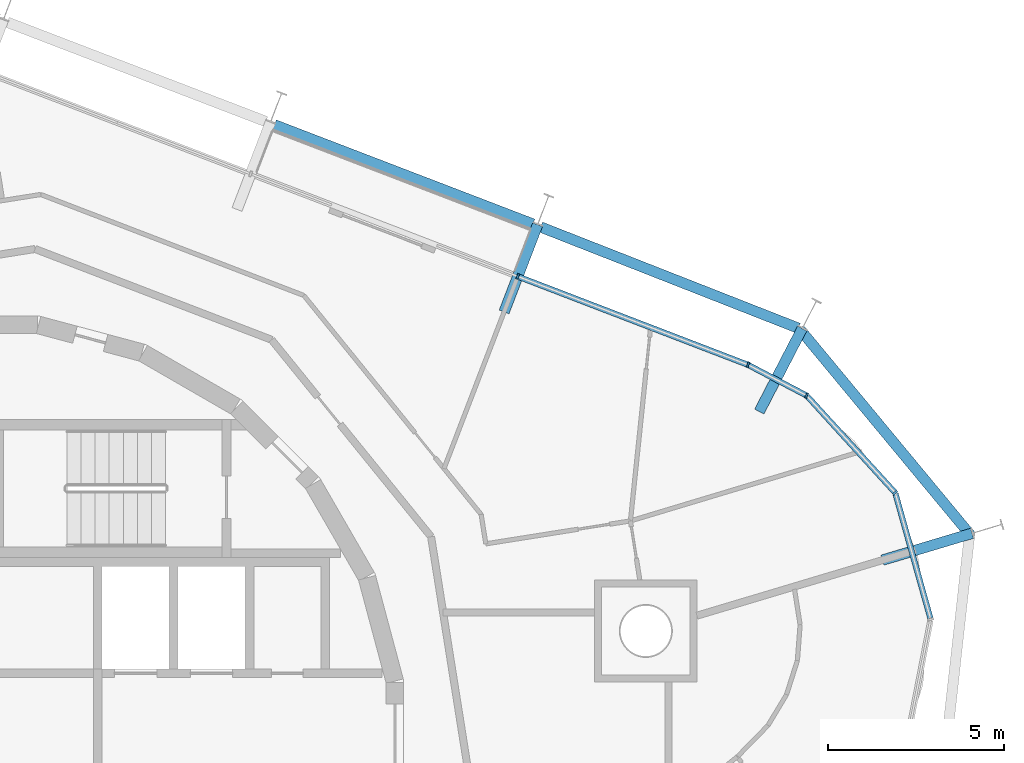
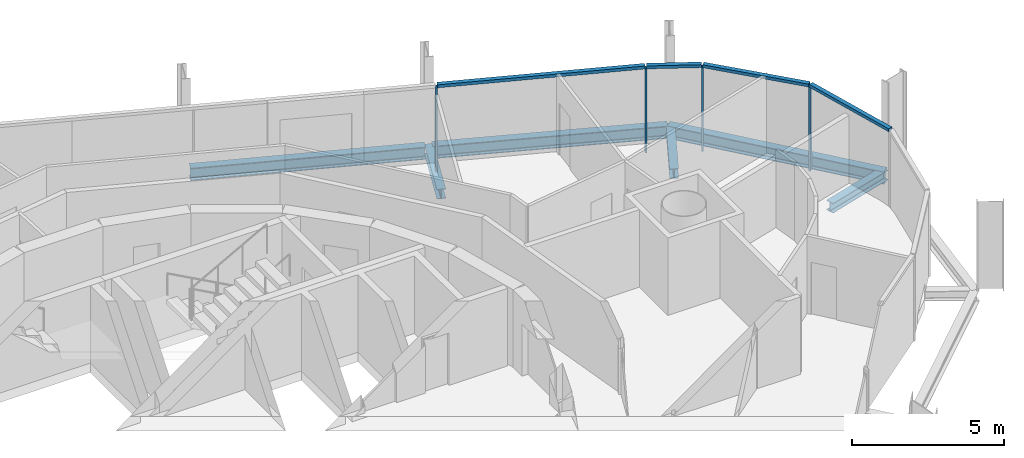
# One storey, part 9 of 18: 8 members, 6 beams, 2 elements without a shape of their own.
"""IFC4 building model written with IfcOpenShell, lengths in metres."""

import ifcopenshell
import ifcopenshell.guid

model = None  # the IFC model being written
_history = None  # IfcOwnerHistory: only IFC2X3 demands one
_inside = {}  # id of a spatial element -> (the spatial element, [elements in it])
_under = {}  # id of a project, library or spatial element -> (it, [spatial elements below it])
_declared = {}  # id of a project -> (the project, [libraries it declares])
_typed = {}  # id of a type object -> (the type object, [elements of that type])
_made_of = {}  # id of a material, layer set ... -> (it, [elements and type objects made of it])


def new_model(schema):
    """Start an empty IFC model of exactly this schema.

    Asked for "IFC4X3", IfcOpenShell would pick the latest addendum, in which some entities
    have other attributes; the version numbers below select the first issue.
    IFC2X3 requires an IfcOwnerHistory on every rooted entity: one is made here for all.
    """
    global model, _history
    if schema == "IFC4X3":
        model = ifcopenshell.file(schema_version=(4, 3, 0, 0))
    else:
        model = ifcopenshell.file(schema=schema)
    _inside.clear()
    _under.clear()
    _declared.clear()
    _typed.clear()
    _made_of.clear()
    _history = None
    if model.schema == "IFC2X3":
        org = make("IfcOrganization", Name="unknown")
        user = make(
            "IfcPersonAndOrganization",
            ThePerson=make("IfcPerson", FamilyName="unknown"),
            TheOrganization=org,
        )
        app = make(
            "IfcApplication",
            ApplicationDeveloper=org,
            Version="unknown",
            ApplicationFullName="unknown",
            ApplicationIdentifier="unknown",
        )
        _history = make(
            "IfcOwnerHistory",
            OwningUser=user,
            OwningApplication=app,
            ChangeAction="ADDED",
            CreationDate=0,
        )
    return model


def make(cls, **values):
    """One entity of the class cls with the attributes given. An attribute that is None is left unset."""
    return model.create_entity(
        cls, **{name: value for name, value in values.items() if value is not None}
    )


def rooted(cls, **values):
    """An entity with a GlobalId (a new one), such as an element, a storey or a relation."""
    return make(cls, GlobalId=ifcopenshell.guid.new(), OwnerHistory=_history, **values)


def si_unit(unit_type, name, prefix=None):
    """IfcSIUnit, for example si_unit("LENGTHUNIT", "METRE", prefix="MILLI")."""
    return make("IfcSIUnit", UnitType=unit_type, Prefix=prefix, Name=name)


def assignment(units):
    """IfcUnitAssignment: the units of a project."""
    return None if units is None else make("IfcUnitAssignment", Units=units)


def point(xyz):
    """IfcCartesianPoint."""
    return None if xyz is None else make("IfcCartesianPoint", Coordinates=xyz)


def direction(xyz):
    """IfcDirection."""
    return None if xyz is None else make("IfcDirection", DirectionRatios=xyz)


def frame(location, z_axis=None, x_axis=None):
    """IfcAxis2Placement3D, a coordinate frame: its origin and axes. An axis left out is left unset."""
    return make(
        "IfcAxis2Placement3D",
        Location=point(location),
        Axis=direction(z_axis),
        RefDirection=direction(x_axis),
    )


def frame_2d(location, x_axis=None):
    """IfcAxis2Placement2D, a coordinate frame in the plane: its origin and x axis."""
    return make(
        "IfcAxis2Placement2D", Location=point(location), RefDirection=direction(x_axis)
    )


def origin():
    """The frame at (0, 0, 0) with its axes left unset."""
    return frame((0.0, 0.0, 0.0))


def origin_2d():
    """The frame at (0, 0) in the plane with its x axis left unset."""
    return frame_2d((0.0, 0.0))


def place(relative_to, where):
    """IfcLocalPlacement: puts the frame where relative to a parent placement (None: the world)."""
    return make(
        "IfcLocalPlacement", PlacementRelTo=relative_to, RelativePlacement=where
    )


def context(
    kind, dimensions, precision=None, world=None, true_north=None, identifier=None
):
    """IfcGeometricRepresentationContext, for example the 3D "Model" context."""
    return make(
        "IfcGeometricRepresentationContext",
        ContextIdentifier=identifier,
        ContextType=kind,
        CoordinateSpaceDimension=dimensions,
        Precision=precision,
        WorldCoordinateSystem=world,
        TrueNorth=true_north,
    )


def subcontext(parent, identifier, kind, view, scale=None):
    """IfcGeometricRepresentationSubContext, for example "Body" below "Model"."""
    return make(
        "IfcGeometricRepresentationSubContext",
        ContextIdentifier=identifier,
        ContextType=kind,
        ParentContext=parent,
        TargetScale=scale,
        TargetView=view,
    )


def project(units=None, contexts=None):
    """IfcProject with its units and contexts."""
    return rooted(
        "IfcProject",
        Name="project",
        RepresentationContexts=contexts,
        UnitsInContext=assignment(units),
    )


def spatial(cls, under=None, at=None, **own):
    """A site, building, storey or space (cls), placed at a placement, below another one or the project."""
    s = rooted(cls, ObjectPlacement=at, **own)
    if under is not None:
        _under.setdefault(under.id(), (under, []))[1].append(s)
    return s


def profile(cls, at=None, kind="AREA", **sizes):
    """A parametric profile (cls). Its sizes go by their IFC names, for example OverallWidth=200.0."""
    return make(cls, ProfileType=kind, Position=at, **sizes)


def rectangle(**sizes):
    """IfcRectangleProfileDef."""
    return profile("IfcRectangleProfileDef", **sizes)


def i_section(**sizes):
    """IfcIShapeProfileDef."""
    return profile("IfcIShapeProfileDef", **sizes)


def extrude(swept, where, along, depth):
    """IfcExtrudedAreaSolid: the profile swept, set in the frame where, extruded along a direction by depth."""
    return make(
        "IfcExtrudedAreaSolid",
        SweptArea=swept,
        Position=where,
        ExtrudedDirection=direction(along),
        Depth=depth,
    )


def shape(context_of_items, identifier, shape_type, items):
    """IfcShapeRepresentation: the items that make up one representation, for example the "Body"."""
    return make(
        "IfcShapeRepresentation",
        ContextOfItems=context_of_items,
        RepresentationIdentifier=identifier,
        RepresentationType=shape_type,
        Items=items,
    )


def material(Name=None, Category=None):
    """IfcMaterial."""
    return make("IfcMaterial", Name=Name, Category=Category)


def layer(
    of_material, thickness, ventilated=None, Name=None, Category=None, Priority=None
):
    """IfcMaterialLayer: one layer of a wall or slab, of a material (None: an air gap)."""
    return make(
        "IfcMaterialLayer",
        Material=of_material,
        LayerThickness=thickness,
        IsVentilated=ventilated,
        Name=Name,
        Category=Category,
        Priority=Priority,
    )


def layer_set(layers, Name=None):
    """IfcMaterialLayerSet."""
    return make("IfcMaterialLayerSet", MaterialLayers=layers, LayerSetName=Name)


def material_profile(
    of_material, cross_section, Name=None, Category=None, Priority=None
):
    """IfcMaterialProfile: a cross section and its material."""
    return make(
        "IfcMaterialProfile",
        Name=Name,
        Material=of_material,
        Profile=cross_section,
        Priority=Priority,
        Category=Category,
    )


def profile_set(profiles, Name=None, composite=None):
    """IfcMaterialProfileSet."""
    return make(
        "IfcMaterialProfileSet",
        Name=Name,
        MaterialProfiles=profiles,
        CompositeProfile=composite,
    )


def made_of(thing, what):
    """Note that an element or type object is made of a material, layer set ...; save() writes the relation."""
    if what is not None:
        _made_of.setdefault(what.id(), (what, []))[1].append(thing)
    return thing


def type_object(cls, material=None, **own):
    """A type object (cls), such as IfcWallType, which elements share."""
    return made_of(rooted(cls, **own), material)


def element(
    cls,
    number,
    at=None,
    inside=None,
    cuts=None,
    type_object=None,
    material=None,
    context=None,
    identifier="Body",
    shape_type=None,
    held_by="IfcProductDefinitionShape",
    body=None,
    shapes=None,
    **own,
):
    """One element of the class cls, such as IfcWall. Its Tag is "e" and its number.

    at: its placement. inside: the storey or other place that contains it. cuts: it is an
    opening in that element (IfcRelVoidsElement). A single representation is given by context,
    identifier, shape_type and body (its items); several are given by shapes. held_by: the class
    of the entity that holds the representations. save() writes the other relations.
    """
    e = rooted(cls, Tag="e%d" % number, ObjectPlacement=at, **own)
    if body is not None:
        shapes = [shape(context, identifier, shape_type, body)]
    if shapes is not None:
        e.Representation = make(held_by, Representations=shapes)
    if inside is not None:
        _inside.setdefault(inside.id(), (inside, []))[1].append(e)
    if cuts is not None:
        rooted(
            "IfcRelVoidsElement", RelatingBuildingElement=cuts, RelatedOpeningElement=e
        )
    if type_object is not None:
        _typed.setdefault(type_object.id(), (type_object, []))[1].append(e)
    return made_of(e, material)


def aggregate(whole, parts):
    """IfcRelAggregates: a whole, such as a stair, and the parts it consists of."""
    return rooted("IfcRelAggregates", RelatingObject=whole, RelatedObjects=parts)


def save(model, path):
    """Write the relations noted so far, then the file.

    IfcRelAggregates (storeys below a building ...), IfcRelContainedInSpatialStructure (elements
    in a storey), IfcRelDefinesByType, IfcRelAssociatesMaterial and IfcRelDeclares: one each for
    every whole, place, type object, material and project.
    """
    for whole, parts in _under.values():
        aggregate(whole, parts)
    for where, things in _inside.values():
        rooted(
            "IfcRelContainedInSpatialStructure",
            RelatedElements=things,
            RelatingStructure=where,
        )
    for kind, things in _typed.values():
        rooted("IfcRelDefinesByType", RelatedObjects=things, RelatingType=kind)
    for what, things in _made_of.values():
        rooted("IfcRelAssociatesMaterial", RelatedObjects=things, RelatingMaterial=what)
    for by, libraries in _declared.values():
        rooted("IfcRelDeclares", RelatingContext=by, RelatedDefinitions=libraries)
    model.write(path)


model = new_model("IFC4")

# Units and contexts
model_context = context("Model", 3, precision=1e-05, world=origin(), true_north=direction((0.0, 1.0)))
body_context = subcontext(model_context, "Body", "Model", "MODEL_VIEW")
ifc_project = project(units=[si_unit("LENGTHUNIT", "METRE"), si_unit("AREAUNIT", "SQUARE_METRE"), si_unit("VOLUMEUNIT", "CUBIC_METRE"), si_unit("PLANEANGLEUNIT", "RADIAN"), si_unit("MASSUNIT", "GRAM", prefix="KILO")], contexts=[model_context])

# Site, building, storey
site_placement = place(None, origin())
site = spatial("IfcSite", under=ifc_project, at=site_placement, CompositionType="ELEMENT")
building_placement = place(site_placement, origin())
building = spatial("IfcBuilding", under=site, at=building_placement, Name="Spindle Arch Residences", CompositionType="ELEMENT")
storey_placement = place(building_placement, frame((0.0, 0.0, 280.89990234375)))
storey = spatial("IfcBuildingStorey", under=building, at=storey_placement, Name="L72", CompositionType="ELEMENT", Elevation=280.89990234375)

# Curtain wall, members
ifc_material_1 = material(Name="Aluminium bronze unitised frame with tinted glass", Category="aluminium")
ifc_layer_1 = layer(ifc_material_1, 0.159912109375)
ifc_layer_set_1 = layer_set([ifc_layer_1], Name="CW-D corner wall on the fillet arcs")
curtain_wall_type_1 = type_object("IfcCurtainWallType", Name="CW-D corner wall on the fillet arcs", PredefinedType="NOTDEFINED", material=ifc_layer_set_1)
curtain_wall_1_placement = place(storey_placement, origin())
curtain_wall_1 = element("IfcCurtainWall", 1, at=curtain_wall_1_placement, inside=storey, type_object=curtain_wall_type_1, Name="CW-D L72 run 1", PredefinedType="NOTDEFINED")
ifc_material_2 = material(Name="Aluminium bronze anodised mullion", Category="aluminium")
ifc_material_profile_1 = material_profile(ifc_material_2, rectangle(XDim=0.159912109375, YDim=0.06005859375, at=origin_2d()), Name="MU 60x160")
ifc_profile_set_1 = profile_set([ifc_material_profile_1], Name="Aluminium bronze anodised mullion")
member_type_1 = type_object("IfcMemberType", Name="Bronze mullion 60x160", PredefinedType="MULLION", material=ifc_profile_set_1)
member_1_placement = place(storey_placement, frame((25.826171875, 6.888427734375, -0.3798828125), z_axis=(0.0, 0.0, 1.0), x_axis=(-0.73923942464, -0.673442702134, 0.0)))
member_1 = element("IfcMember", 2, at=member_1_placement, type_object=member_type_1, Name="CW-D mullion 04", PredefinedType="MULLION", context=body_context, shape_type="SweptSolid", body=[
    extrude(rectangle(XDim=0.159912109375, YDim=0.06005859375, at=origin_2d()), origin(), (0.0, 0.0, 1.0), 3.3798828125),
])
member_2_placement = place(storey_placement, frame((23.316650390625, 9.643310546875, -0.3798828125), z_axis=(0.0, 0.0, 1.0), x_axis=(-0.464326860783, -0.885663912754, 0.0)))
member_2 = element("IfcMember", 3, at=member_2_placement, type_object=member_type_1, Name="CW-D mullion 05", PredefinedType="MULLION", context=body_context, shape_type="SweptSolid", body=[
    extrude(rectangle(XDim=0.159912109375, YDim=0.06005859375, at=origin_2d()), origin(), (0.0, 0.0, 1.0), 3.3798828125),
])
member_3_placement = place(storey_placement, frame((21.655029296875, 10.514404296875, -0.3798828125), z_axis=(0.0, 0.0, 1.0), x_axis=(-0.358367949545, -0.933580426497, 0.0)))
member_3 = element("IfcMember", 4, at=member_3_placement, type_object=member_type_1, Name="CW-D mullion 06", PredefinedType="MULLION", context=body_context, shape_type="SweptSolid", body=[
    extrude(rectangle(XDim=0.159912109375, YDim=0.06005859375, at=origin_2d()), origin(), (0.0, 0.0, 1.0), 3.3798828125),
])

# Curtain wall, member
ifc_material_3 = material(Name="Aluminium bronze unitised frame with tinted glass", Category="aluminium")
ifc_layer_2 = layer(ifc_material_3, 0.159912109375)
ifc_layer_set_2 = layer_set([ifc_layer_2], Name="CW-C typical residential unitised wall")
curtain_wall_type_2 = type_object("IfcCurtainWallType", Name="CW-C typical residential unitised wall", PredefinedType="NOTDEFINED", material=ifc_layer_set_2)
curtain_wall_2_placement = place(storey_placement, origin())
curtain_wall_2 = element("IfcCurtainWall", 5, at=curtain_wall_2_placement, inside=storey, type_object=curtain_wall_type_2, Name="CW-C L72 run 2", PredefinedType="NOTDEFINED")
member_4_placement = place(storey_placement, frame((15.12939453125, 13.01953125, -0.3798828125), z_axis=(0.0, 0.0, 1.0), x_axis=(-0.358367949545, -0.933580426497, 0.0)))
member_4 = element("IfcMember", 6, at=member_4_placement, type_object=member_type_1, Name="CW-C mullion 05", PredefinedType="MULLION", context=body_context, shape_type="SweptSolid", body=[
    extrude(rectangle(XDim=0.159912109375, YDim=0.06005859375, at=origin_2d()), origin(), (0.0, 0.0, 1.0), 3.3798828125),
])
aggregate(curtain_wall_2, [member_4])

# Member
ifc_material_4 = material(Name="Aluminium bronze anodised transom", Category="aluminium")
ifc_material_profile_2 = material_profile(ifc_material_4, rectangle(XDim=0.159912109375, YDim=0.1201171875, at=origin_2d()), Name="TR 120x160")
ifc_profile_set_2 = profile_set([ifc_material_profile_2], Name="Aluminium bronze anodised transom")
member_type_2 = type_object("IfcMemberType", Name="Bronze transom 120x160", PredefinedType="USERDEFINED", material=ifc_profile_set_2)
member_5_placement = place(storey_placement, frame((26.824462890625, 3.3291015625, 3.06005859375), z_axis=(-0.26999542292, 0.962861605633, 0.0), x_axis=(-0.962861605633, -0.26999542292, 0.0)))
member_5 = element("IfcMember", 7, at=member_5_placement, type_object=member_type_2, Name="CW-D transom 03", ObjectType="TRANSOM", PredefinedType="USERDEFINED", context=body_context, shape_type="SweptSolid", body=[
    extrude(rectangle(XDim=0.159912109375, YDim=0.1201171875, at=origin_2d()), origin(), (0.0, 0.0, 1.0), 3.666748046875),
])

member_6_placement = place(storey_placement, frame((25.80615234375, 6.91064453125, 3.06005859375), z_axis=(-0.673451190177, 0.739231691995, 0.0), x_axis=(-0.739231691995, -0.673451190177, 0.0)))
member_6 = element("IfcMember", 8, at=member_6_placement, type_object=member_type_2, Name="CW-D transom 04", ObjectType="TRANSOM", PredefinedType="USERDEFINED", context=body_context, shape_type="SweptSolid", body=[
    extrude(rectangle(XDim=0.159912109375, YDim=0.1201171875, at=origin_2d()), origin(), (0.0, 0.0, 1.0), 3.6669921875),
])

member_7_placement = place(storey_placement, frame((23.2900390625, 9.6572265625, 3.06005859375), z_axis=(-0.885657808089, 0.464338504726, 0.0), x_axis=(-0.464338504726, -0.885657808089, 0.0)))
member_7 = element("IfcMember", 9, at=member_7_placement, type_object=member_type_2, Name="CW-D transom 05", ObjectType="TRANSOM", PredefinedType="USERDEFINED", context=body_context, shape_type="SweptSolid", body=[
    extrude(rectangle(XDim=0.159912109375, YDim=0.1201171875, at=origin_2d()), origin(), (0.0, 0.0, 1.0), 1.816162109375),
])

member_8_placement = place(storey_placement, frame((21.626953125, 10.525390625, 3.06005859375), z_axis=(-0.933580580487, 0.358367548387, 0.0), x_axis=(-0.358367548387, -0.933580580487, 0.0)))
member_8 = element("IfcMember", 10, at=member_8_placement, type_object=member_type_2, Name="CW-D transom 06", ObjectType="TRANSOM", PredefinedType="USERDEFINED", context=body_context, shape_type="SweptSolid", body=[
    extrude(rectangle(XDim=0.159912109375, YDim=0.1201171875, at=origin_2d()), origin(), (0.0, 0.0, 1.0), 6.9296875),
])

aggregate(curtain_wall_1, [member_5, member_1, member_6, member_2, member_7, member_3, member_8])

# Beams
ifc_material_5 = material(Name="Steel S460ML, intumescent coating R 120", Category="steel")
ifc_material_profile_3 = material_profile(ifc_material_5, i_section(OverallWidth=0.300048828125, OverallDepth=0.5, WebThickness=0.014404296875, FlangeThickness=0.028076171875, FilletRadius=0.027099609375, at=origin_2d()), Name="HEB 500")
ifc_profile_set_3 = profile_set([ifc_material_profile_3], Name="Steel S460ML, intumescent coating R 120")
beam_type_1 = type_object("IfcBeamType", Name="Exoskeleton edge beam HEB 500", PredefinedType="BEAM", material=ifc_profile_set_3)
beam_1_placement = place(storey_placement, frame((27.982666015625, 5.661376953125, -0.6298828125), z_axis=(-0.638234616569, 0.769841915079, 0.0), x_axis=(-0.769841915079, -0.638234616569, 0.0)))
element("IfcBeam", 11, at=beam_1_placement, inside=storey, type_object=beam_type_1, Name="Exoskeleton edge beam 4", PredefinedType="BEAM", context=body_context, shape_type="SweptSolid", body=[
    extrude(i_section(OverallWidth=0.300048828125, OverallDepth=0.5, WebThickness=0.014404296875, FlangeThickness=0.028076171875, FilletRadius=0.027099609375, at=origin_2d()), origin(), (0.0, 0.0, 1.0), 7.6318359375),
])
beam_2_placement = place(storey_placement, frame((23.080810546875, 11.552490234375, -0.6298828125), z_axis=(-0.930820691929, 0.365476181818, 0.0), x_axis=(-0.365476181818, -0.930820691929, 0.0)))
element("IfcBeam", 12, at=beam_2_placement, inside=storey, type_object=beam_type_1, Name="Exoskeleton edge beam 5", PredefinedType="BEAM", context=body_context, shape_type="SweptSolid", body=[
    extrude(i_section(OverallWidth=0.300048828125, OverallDepth=0.5, WebThickness=0.014404296875, FlangeThickness=0.028076171875, FilletRadius=0.027099609375, at=origin_2d()), origin(), (0.0, 0.0, 1.0), 7.845703125),
])
beam_3_placement = place(storey_placement, frame((15.56005859375, 14.50390625, -0.6298828125), z_axis=(-0.933584338194, 0.358357759061, 0.0), x_axis=(-0.358357759061, -0.933584338194, 0.0)))
element("IfcBeam", 13, at=beam_3_placement, inside=storey, type_object=beam_type_1, Name="Exoskeleton edge beam 6", PredefinedType="BEAM", context=body_context, shape_type="SweptSolid", body=[
    extrude(i_section(OverallWidth=0.300048828125, OverallDepth=0.5, WebThickness=0.014404296875, FlangeThickness=0.028076171875, FilletRadius=0.027099609375, at=origin_2d()), origin(), (0.0, 0.0, 1.0), 7.84765625),
])
ifc_material_6 = material(Name="Steel S460ML, intumescent coating R 120", Category="steel")
ifc_material_profile_4 = material_profile(ifc_material_6, i_section(OverallWidth=0.300048828125, OverallDepth=0.389892578125, WebThickness=0.010986328125, FlangeThickness=0.01904296875, FilletRadius=0.027099609375, at=origin_2d()), Name="HEA 400")
ifc_profile_set_4 = profile_set([ifc_material_profile_4], Name="Steel S460ML, intumescent coating R 120")
beam_type_2 = type_object("IfcBeamType", Name="Floor outrigger HEA 400", PredefinedType="BEAM", material=ifc_profile_set_4)
for number, where, z_axis, x_axis, name in (
    (14, (28.00390625, 5.738525390625, -0.574951171875), (-0.958013730909, -0.286722324542, 0.0), (0.286722324542, -0.958013730909, 0.0), "Floor outrigger 4"),
    (15, (23.19140625, 11.543212890625, -0.574951171875), (-0.459260001196, -0.888301891983, 0.0), (0.888301891983, -0.459260001196, 0.0), "Floor outrigger 5"),
    (16, (15.692138671875, 14.485107421875, -0.574951171875), (-0.358392499624, -0.933571002234, 0.0), (0.933571002234, -0.358392499624, 0.0), "Floor outrigger 6"),
):
    element("IfcBeam", number, at=place(storey_placement, frame(where, z_axis=z_axis, x_axis=x_axis)), inside=storey, type_object=beam_type_2, Name=name, PredefinedType="BEAM", context=body_context, shape_type="SweptSolid", body=[
        extrude(i_section(OverallWidth=0.300048828125, OverallDepth=0.389892578125, WebThickness=0.010986328125, FlangeThickness=0.01904296875, FilletRadius=0.027099609375, at=origin_2d()), origin(), (0.0, 0.0, 1.0), 2.64990234375),
    ])

save(model, "model.ifc")
